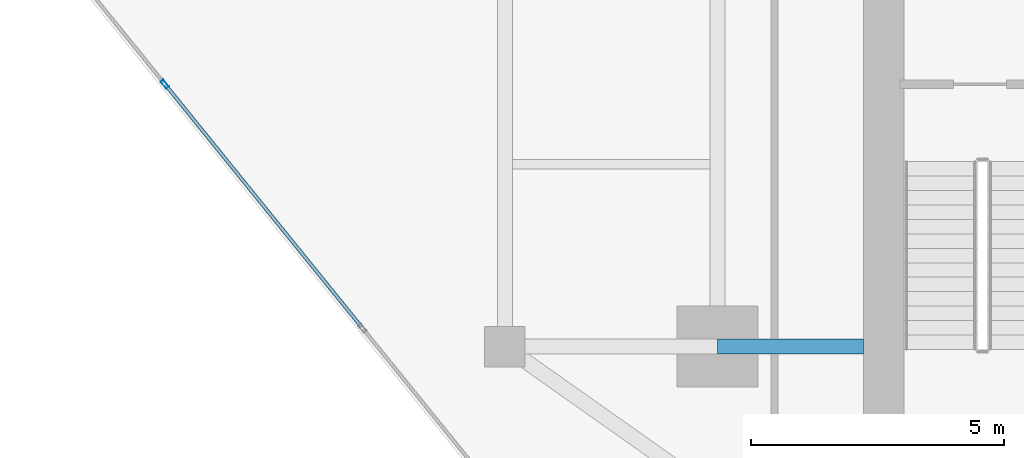
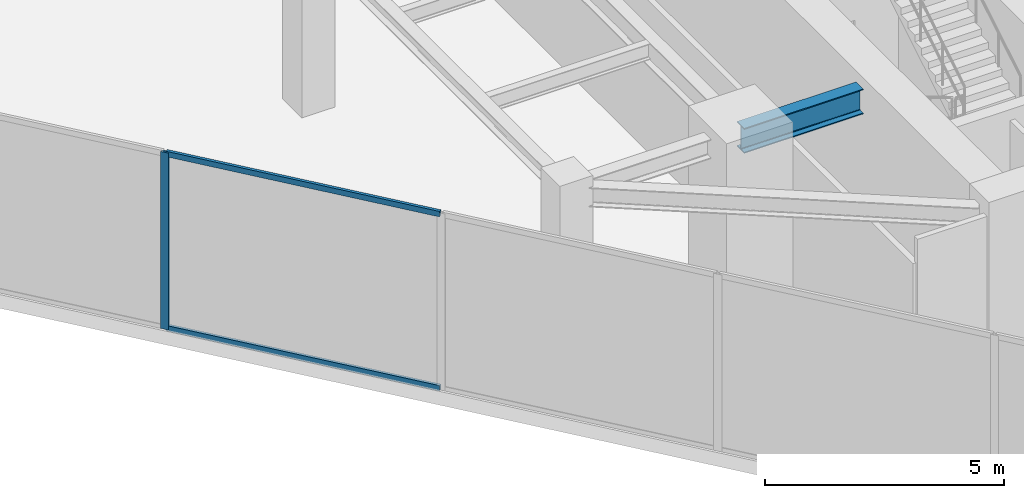
# One storey, part 4 of 22: 3 members, 1 beam, 1 element without a shape of its own.
"""IFC4 building model written with IfcOpenShell, lengths in metres."""

from ifc_helpers import new_model, si_unit, direction, frame, origin, origin_2d, place, context, subcontext, project, spatial, hollow_rectangle, i_section, extrude, source, transform, mapped, material, material_profile, profile_set, type_object, type_shapes, element, aggregate, save


model = new_model("IFC4")

# Units and contexts
model_context = context("Model", 3, precision=1e-05, world=origin(), true_north=direction((0.0, 1.0)))
body_context = subcontext(model_context, "Body", "Model", "MODEL_VIEW")
ifc_project = project(units=[si_unit("LENGTHUNIT", "METRE"), si_unit("AREAUNIT", "SQUARE_METRE"), si_unit("VOLUMEUNIT", "CUBIC_METRE"), si_unit("PLANEANGLEUNIT", "RADIAN"), si_unit("MASSUNIT", "GRAM", prefix="KILO")], contexts=[model_context])

# Site, building, storey
site_placement = place(None, origin())
site = spatial("IfcSite", under=ifc_project, at=site_placement, CompositionType="ELEMENT")
building_placement = place(site_placement, origin())
building = spatial("IfcBuilding", under=site, at=building_placement, Name="Krantzveldt Concourse Tower", CompositionType="ELEMENT")
storey_placement = place(building_placement, frame((0.0, 0.0, 262.60009765625)))
storey = spatial("IfcBuildingStorey", under=building, at=storey_placement, Name="L64", CompositionType="ELEMENT", Elevation=262.60009765625)

# Beam
ifc_material_1 = material(Name="Steel S355JR", Category="steel")
ifc_material_profile_1 = material_profile(ifc_material_1, i_section(OverallWidth=0.300048828125, OverallDepth=0.639892578125, WebThickness=0.013427734375, FlangeThickness=0.02587890625, FilletRadius=0.027099609375, at=origin_2d()), Name="Steel S355JR", Category="steel")
ifc_profile_set_1 = profile_set([ifc_material_profile_1], Name="Steel S355JR - HEA 650")
beam_type = type_object("IfcBeamType", Name="BM-B-HEA650", PredefinedType="BEAM", material=ifc_profile_set_1)
shared_shape_1 = source(origin(), body_context, "Body", "SweptSolid", [
    extrude(i_section(OverallWidth=0.300048828125, OverallDepth=0.639892578125, WebThickness=0.013427734375, FlangeThickness=0.02587890625, FilletRadius=0.027099609375, at=origin_2d()), origin(), (0.0, 0.0, 1.0), 2.880126953125),
])
type_shapes(beam_type, [shared_shape_1])
beam_placement = place(storey_placement, frame((25.199951171875, 15.89990234375, 4.199951171875), z_axis=(1.0, 0.0, 0.0), x_axis=(0.0, 1.0, 0.0)))
element("IfcBeam", 1, at=beam_placement, inside=storey, type_object=beam_type, Name="L64 Tower Girder BG-CW1", PredefinedType="BEAM", context=body_context, shape_type="MappedRepresentation", body=[
    mapped(shared_shape_1, transform((0.0, 0.0, 0.0), x_axis=(1.0, 0.0, 0.0), y_axis=(0.0, 1.0, 0.0), z_axis=(0.0, 0.0, 1.0), scale=1.0)),
])

# Curtain wall, members
ifc_material_2 = material(Name="Anodised aluminium 6063-T6", Category="aluminium")
curtain_wall_type = type_object("IfcCurtainWallType", Name="CW5", PredefinedType="USERDEFINED", material=ifc_material_2)
curtain_wall_placement = place(storey_placement, origin())
curtain_wall = element("IfcCurtainWall", 2, at=curtain_wall_placement, inside=storey, type_object=curtain_wall_type, Name="CW-L64-F04", ObjectType="UNITISED CURTAIN WALL", PredefinedType="USERDEFINED")
ifc_material_profile_2 = material_profile(ifc_material_2, hollow_rectangle(XDim=0.070068359375, YDim=0.179931640625, WallThickness=0.0048828125, at=origin_2d()), Name="Anodised aluminium 6063-T6", Category="aluminium")
ifc_profile_set_2 = profile_set([ifc_material_profile_2], Name="Anodised aluminium 6063-T6 - ALU-MULL 180x70x5")
member_type_1 = type_object("IfcMemberType", Name="CW-MUL-180", PredefinedType="MULLION", material=ifc_profile_set_2)
shared_shape_2 = source(origin(), body_context, "Body", "SweptSolid", [
    extrude(hollow_rectangle(XDim=0.070068359375, YDim=0.179931640625, WallThickness=0.0048828125, at=origin_2d()), origin(), (0.0, 0.0, 1.0), 4.52001953125),
])
type_shapes(member_type_1, [shared_shape_2])
member_1_placement = place(storey_placement, frame((14.28564453125, 21.0830078125, 0.0), z_axis=(0.0, 0.0, 1.0), x_axis=(0.777145933558, 0.629320425502, 0.0)))
member_1 = element("IfcMember", 3, at=member_1_placement, type_object=member_type_1, Name="CW-SKY mullion 2", PredefinedType="MULLION", context=body_context, shape_type="MappedRepresentation", body=[
    mapped(shared_shape_2, transform((0.0, 0.0, 0.0), x_axis=(1.0, 0.0, 0.0), y_axis=(0.0, 1.0, 0.0), z_axis=(0.0, 0.0, 1.0), scale=1.0)),
])
ifc_material_profile_3 = material_profile(ifc_material_2, hollow_rectangle(XDim=0.070068359375, YDim=0.139892578125, WallThickness=0.0048828125, at=origin_2d()), Name="Anodised aluminium 6063-T6", Category="aluminium")
ifc_profile_set_3 = profile_set([ifc_material_profile_3], Name="Anodised aluminium 6063-T6 - ALU-TRAN 140x70x5")
member_type_2 = type_object("IfcMemberType", Name="CW-TRN-150", PredefinedType="USERDEFINED", material=ifc_profile_set_3)
shared_shape_3 = source(origin(), body_context, "Body", "SweptSolid", [
    extrude(hollow_rectangle(XDim=0.070068359375, YDim=0.139892578125, WallThickness=0.0048828125, at=origin_2d()), origin(), (0.0, 0.0, 1.0), 6.1298828125),
])
type_shapes(member_type_2, [shared_shape_3])
member_2_placement = place(storey_placement, frame((14.307861328125, 21.055908203125, 0.034912109375), z_axis=(0.629312793813, -0.777152113517, 0.0), x_axis=(0.777152113517, 0.629312793813, 0.0)))
member_2 = element("IfcMember", 4, at=member_2_placement, type_object=member_type_2, Name="CW-SKY transom 2.1", ObjectType="TRANSOM", PredefinedType="USERDEFINED", context=body_context, shape_type="MappedRepresentation", body=[
    mapped(shared_shape_3, transform((0.0, 0.0, 0.0), x_axis=(1.0, 0.0, 0.0), y_axis=(0.0, 1.0, 0.0), z_axis=(0.0, 0.0, 1.0), scale=1.0)),
])
member_3_placement = place(storey_placement, frame((14.307861328125, 21.055908203125, 4.48486328125), z_axis=(0.629312793813, -0.777152113517, 0.0), x_axis=(0.777152113517, 0.629312793813, 0.0)))
member_3 = element("IfcMember", 5, at=member_3_placement, type_object=member_type_2, Name="CW-SKY transom 2.2", ObjectType="TRANSOM", PredefinedType="USERDEFINED", context=body_context, shape_type="MappedRepresentation", body=[
    mapped(shared_shape_3, transform((0.0, 0.0, 0.0), x_axis=(1.0, 0.0, 0.0), y_axis=(0.0, 1.0, 0.0), z_axis=(0.0, 0.0, 1.0), scale=1.0)),
])
aggregate(curtain_wall, [member_1, member_2, member_3])

save(model, "model.ifc")
